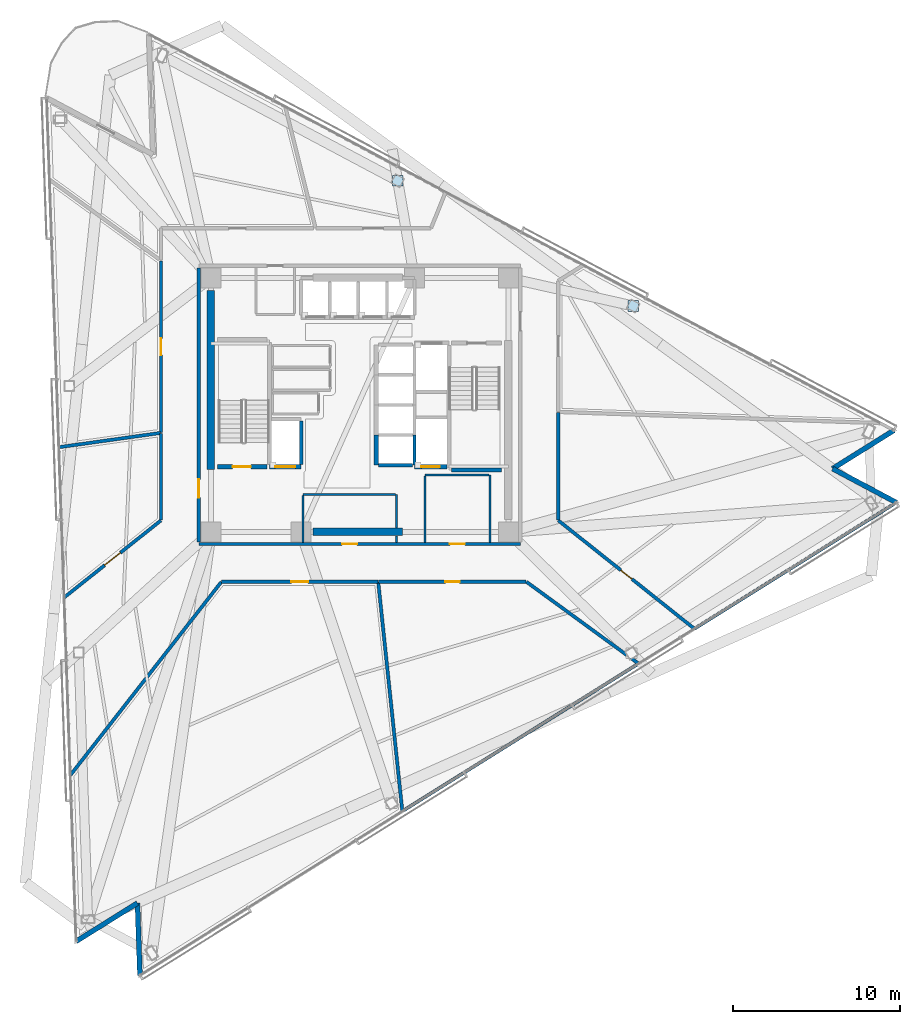
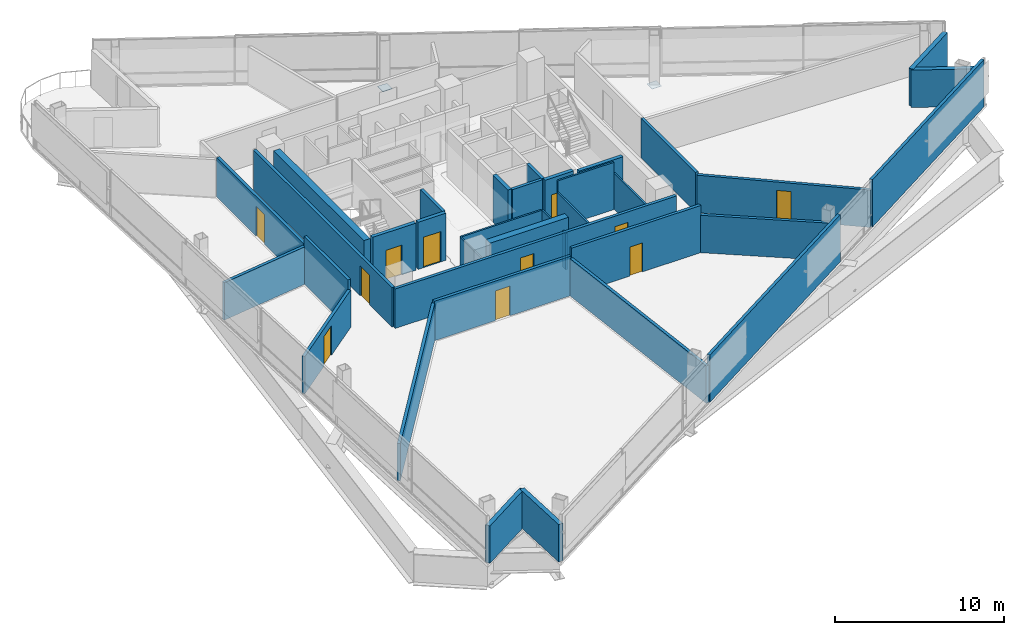
# One storey, part 12 of 20: 36 walls, 11 doors, 2 plates, 11 openings.
"""IFC4 building model written with IfcOpenShell, lengths in metres."""

from ifc_helpers import new_model, si_unit, direction, frame, frame_2d, origin, origin_2d, place, context, subcontext, project, spatial, rectangle, extrude, material, layer, layer_set, type_object, element, fill, save


model = new_model("IFC4")

# Units and contexts
model_context = context("Model", 3, precision=1e-05, world=origin(), true_north=direction((0.0, 1.0)))
body_context = subcontext(model_context, "Body", "Model", "MODEL_VIEW")
ifc_project = project(units=[si_unit("LENGTHUNIT", "METRE"), si_unit("AREAUNIT", "SQUARE_METRE"), si_unit("VOLUMEUNIT", "CUBIC_METRE"), si_unit("PLANEANGLEUNIT", "RADIAN"), si_unit("MASSUNIT", "GRAM", prefix="KILO")], contexts=[model_context])

# Site, building, storey
site_placement = place(None, origin())
site = spatial("IfcSite", under=ifc_project, at=site_placement, CompositionType="ELEMENT")
building_placement = place(site_placement, origin())
building = spatial("IfcBuilding", under=site, at=building_placement, Name="Tharavind Bronze Gate", CompositionType="ELEMENT")
storey_placement = place(building_placement, frame((0.0, 0.0, 138.800048828125)))
storey = spatial("IfcBuildingStorey", under=building, at=storey_placement, Name="L35", CompositionType="ELEMENT", Elevation=138.800048828125)

# Plates
ifc_material_1 = material(Name="Steel S460", Category="steel")
ifc_layer_1 = layer(ifc_material_1, 0.02490234375)
ifc_layer_set_1 = layer_set([ifc_layer_1], Name="Steel S460")
plate_type = type_object("IfcPlateType", Name="STEEL END CAP SHEET 25", PredefinedType="SHEET", material=ifc_layer_set_1)
for number, where, z_axis, x_axis, name in (
    (1, (16.3701171875, 5.91943359375, -0.202392578125), (0.0, 0.0, 1.0), (1.0, 0.0, 0.0), "Steel end cap plate CAP-COLB-L35-S3C2"),
    (2, (2.275634765625, 13.41357421875, -0.012451171875), (0.0, 0.0, 1.0), (1.0, 0.0, 0.0), "Steel end cap plate CAP-COLB-L35-S3C3"),
):
    element("IfcPlate", number, at=place(storey_placement, frame(where, z_axis=z_axis, x_axis=x_axis)), inside=storey, type_object=plate_type, Name=name, PredefinedType="SHEET", context=body_context, shape_type="SweptSolid", body=[
        extrude(rectangle(XDim=0.64501953125, YDim=0.64501953125, at=origin_2d()), origin(), (0.0, 0.0, 1.0), 0.02490234375),
    ])

# Walls
ifc_material_2 = material(Name="Concrete C40/50", Category="concrete")
ifc_layer_2 = layer(ifc_material_2, 0.300048828125)
ifc_layer_set_2 = layer_set([ifc_layer_2], Name="Concrete C40/50")
wall_type_1 = type_object("IfcWallType", Name="EXTERIOR SPANDREL WALL 300", PredefinedType="STANDARD", material=ifc_layer_set_2)
wall_1_placement = place(storey_placement, frame((-16.957763671875, -32.092041015625, 0.0), z_axis=(0.0, 0.0, 1.0), x_axis=(0.848068146975, 0.529887174866, 0.0)))
element("IfcWall", 3, at=wall_1_placement, inside=storey, type_object=wall_type_1, Name="L35 notch cheek wall 2A", PredefinedType="STANDARD", context=body_context, shape_type="SweptSolid", body=[
    extrude(rectangle(XDim=4.31982421875, YDim=0.300048828125, at=frame_2d((2.159912109375, 0.0))), origin(), (0.0, 0.0, 1.0), 2.704833984375),
])
wall_2_placement = place(storey_placement, frame((-13.294189453125, -29.802978515625, 0.0), z_axis=(0.0, 0.0, 1.0), x_axis=(0.034869079132, -0.999391888761, 0.0)))
element("IfcWall", 4, at=wall_2_placement, inside=storey, type_object=wall_type_1, Name="L35 notch cheek wall 2B", PredefinedType="STANDARD", context=body_context, shape_type="SweptSolid", body=[
    extrude(rectangle(XDim=4.320068359375, YDim=0.300048828125, at=frame_2d((2.16015625, 0.0))), origin(), (0.0, 0.0, 1.0), 2.704833984375),
])
wall_3_placement = place(storey_placement, frame((32.114501953125, -5.83984375, 0.0), z_axis=(0.0, 0.0, 1.0), x_axis=(-0.882945167019, 0.469476125099, 0.0)))
element("IfcWall", 5, at=wall_3_placement, inside=storey, type_object=wall_type_1, Name="L35 notch cheek wall 3A", PredefinedType="STANDARD", context=body_context, shape_type="SweptSolid", body=[
    extrude(rectangle(XDim=4.31982421875, YDim=0.300048828125, at=frame_2d((2.159912109375, 0.0))), origin(), (0.0, 0.0, 1.0), 2.704833984375),
])
wall_4_placement = place(storey_placement, frame((28.30029296875, -3.811767578125, 0.0), z_axis=(0.0, 0.0, 1.0), x_axis=(0.848042749904, 0.529927819929, 0.0)))
element("IfcWall", 6, at=wall_4_placement, inside=storey, type_object=wall_type_1, Name="L35 notch cheek wall 3B", PredefinedType="STANDARD", context=body_context, shape_type="SweptSolid", body=[
    extrude(rectangle(XDim=4.320068359375, YDim=0.300048828125, at=frame_2d((2.16015625, 0.0))), origin(), (0.0, 0.0, 1.0), 2.704833984375),
])

# Wall, openings, doors
ifc_material_3 = material(Name="Aerated Concrete Block", Category="concrete")
ifc_layer_3 = layer(ifc_material_3, 0.199951171875)
ifc_layer_set_3 = layer_set([ifc_layer_3], Name="Aerated Concrete Block")
wall_type_2 = type_object("IfcWallType", Name="FIRE RATED PARTITION 200", PredefinedType="PARTITIONING", material=ifc_layer_set_3)
wall_5_placement = place(storey_placement, frame((-9.6201171875, -8.320068359375, 0.0), z_axis=(0.0, 0.0, 1.0), x_axis=(1.0, 0.0, 0.0)))
wall_5 = element("IfcWall", 7, at=wall_5_placement, inside=storey, type_object=wall_type_2, Name="L35 south core corridor wall", PredefinedType="PARTITIONING", context=body_context, shape_type="SweptSolid", body=[
    extrude(rectangle(XDim=19.240234375, YDim=0.199951171875, at=frame_2d((9.6201171875, 0.0))), origin(), (0.0, 0.0, 1.0), 2.85498046875),
])
opening_1_placement = place(wall_5_placement, frame((8.570068359375, 0.0, 0.0)))
opening_1 = element("IfcOpeningElement", 8, at=opening_1_placement, cuts=wall_5, Name="Opening ID07", PredefinedType="OPENING", context=body_context, shape_type="SweptSolid", body=[
    extrude(rectangle(XDim=0.89990234375, YDim=2.10009765625, at=frame_2d((0.449951171875, 1.050048828125))), frame((0.0, 0.11009765625, 0.0), z_axis=(0.0, -1.0, 0.0), x_axis=(1.0, 0.0, 0.0)), (0.0, 0.0, 1.0), 0.219951171875),
])
opening_2_placement = place(wall_5_placement, frame((15.02001953125, 0.0, 0.0)))
opening_2 = element("IfcOpeningElement", 9, at=opening_2_placement, cuts=wall_5, Name="Opening ID07", PredefinedType="OPENING", context=body_context, shape_type="SweptSolid", body=[
    extrude(rectangle(XDim=0.89990234375, YDim=2.10009765625, at=frame_2d((0.449951171875, 1.050048828125))), frame((0.0, 0.11009765625, 0.0), z_axis=(0.0, -1.0, 0.0), x_axis=(1.0, 0.0, 0.0)), (0.0, 0.0, 1.0), 0.219951171875),
])
ifc_material_4 = material(Name="Galvanised Fire Steel", Category="steel")
door_type_1 = type_object("IfcDoorType", Name="PLANT AND RISER FIRE DOOR 900X2100", OperationType="SINGLE_SWING_LEFT", PredefinedType="DOOR", material=ifc_material_4)
door_1_placement = place(opening_1_placement, origin())
door_1 = element("IfcDoor", 10, at=door_1_placement, inside=storey, type_object=door_type_1, Name="L35 Core BMS Control Room fire door", OperationType="SINGLE_SWING_LEFT", OverallHeight=2.10009765625, OverallWidth=0.89990234375, PredefinedType="DOOR", context=body_context, shape_type="SweptSolid", body=[
    extrude(rectangle(XDim=0.89990234375, YDim=2.10009765625, at=frame_2d((0.449951171875, 1.050048828125))), frame((0.0, 0.02490234375, 0.0), z_axis=(0.0, -1.0, 0.0), x_axis=(1.0, 0.0, 0.0)), (0.0, 0.0, 1.0), 0.050048828125),
])
fill(opening_1, door_1)
door_2_placement = place(opening_2_placement, origin())
door_2 = element("IfcDoor", 11, at=door_2_placement, inside=storey, type_object=door_type_1, Name="L35 Telecom Metering Room fire door", OperationType="SINGLE_SWING_LEFT", OverallHeight=2.10009765625, OverallWidth=0.89990234375, PredefinedType="DOOR", context=body_context, shape_type="SweptSolid", body=[
    extrude(rectangle(XDim=0.89990234375, YDim=2.10009765625, at=frame_2d((0.449951171875, 1.050048828125))), frame((0.0, 0.02490234375, 0.0), z_axis=(0.0, -1.0, 0.0), x_axis=(1.0, 0.0, 0.0)), (0.0, 0.0, 1.0), 0.050048828125),
])
fill(opening_2, door_2)

# Wall, opening, door
wall_6_placement = place(storey_placement, frame((-9.6201171875, 8.199951171875, 0.0), z_axis=(0.0, 0.0, 1.0), x_axis=(0.0, -1.0, 0.0)))
wall_6 = element("IfcWall", 12, at=wall_6_placement, inside=storey, type_object=wall_type_2, Name="L35 west core corridor wall", PredefinedType="PARTITIONING", context=body_context, shape_type="SweptSolid", body=[
    extrude(rectangle(XDim=16.39990234375, YDim=0.199951171875, at=frame_2d((8.199951171875, 0.0))), origin(), (0.0, 0.0, 1.0), 2.85498046875),
])
opening_3_placement = place(wall_6_placement, frame((12.64990234375, 0.0, 0.0)))
opening_3 = element("IfcOpeningElement", 13, at=opening_3_placement, cuts=wall_6, Name="Opening ID01", PredefinedType="OPENING", context=body_context, shape_type="SweptSolid", body=[
    extrude(rectangle(XDim=1.10009765625, YDim=2.14990234375, at=frame_2d((0.550048828125, 1.074951171875))), frame((0.0, 0.11009765625, 0.0), z_axis=(0.0, -1.0, 0.0), x_axis=(1.0, 0.0, 0.0)), (0.0, 0.0, 1.0), 0.219951171875),
])
ifc_material_5 = material(Name="Fire-Rated Steel", Category="steel")
door_type_2 = type_object("IfcDoorType", Name="STAIR CORE FIRE DOOR 1100X2150", OperationType="SINGLE_SWING_LEFT", PredefinedType="DOOR", material=ifc_material_5)
door_3_placement = place(opening_3_placement, frame((1.10009765625, 0.0, 0.0), z_axis=(0.0, 0.0, 1.0), x_axis=(-1.0, 0.0, 0.0)))
door_3 = element("IfcDoor", 14, at=door_3_placement, inside=storey, type_object=door_type_2, Name="L35 south west stair lobby fire door", OperationType="SINGLE_SWING_LEFT", OverallHeight=2.14990234375, OverallWidth=1.10009765625, PredefinedType="DOOR", context=body_context, shape_type="SweptSolid", body=[
    extrude(rectangle(XDim=1.10009765625, YDim=2.14990234375, at=frame_2d((0.550048828125, 1.074951171875))), frame((0.0, 0.02490234375, 0.0), z_axis=(0.0, -1.0, 0.0), x_axis=(1.0, 0.0, 0.0)), (0.0, 0.0, 1.0), 0.050048828125),
])
fill(opening_3, door_3)

# Wall
wall_7_placement = place(storey_placement, frame((2.55517578125, -24.310791015625, 0.0), z_axis=(0.0, 0.0, 1.0), x_axis=(-0.104523371889, 0.994522430481, 0.0)))
element("IfcWall", 15, at=wall_7_placement, inside=storey, type_object=wall_type_2, Name="L35 Public Restrooms Block partition", PredefinedType="PARTITIONING", context=body_context, shape_type="SweptSolid", body=[
    extrude(rectangle(XDim=13.778564453125, YDim=0.199951171875, at=frame_2d((6.88916015625, 0.0))), origin(), (0.0, 0.0, 1.0), 2.704833984375),
])

# Wall, opening, door
wall_8_placement = place(storey_placement, frame((1.139892578125, -10.580078125, 0.0), z_axis=(0.0, 0.0, 1.0), x_axis=(1.0, 0.0, 0.0)))
wall_8 = element("IfcWall", 16, at=wall_8_placement, inside=storey, type_object=wall_type_2, Name="L35 Public Restrooms Block partition", PredefinedType="PARTITIONING", context=body_context, shape_type="SweptSolid", body=[
    extrude(rectangle(XDim=8.830078125, YDim=0.199951171875, at=frame_2d((4.4150390625, 0.0))), origin(), (0.0, 0.0, 1.0), 3.409912109375),
])
opening_4_placement = place(wall_8_placement, frame((3.989990234375, 0.0, 0.0)))
opening_4 = element("IfcOpeningElement", 17, at=opening_4_placement, cuts=wall_8, Name="Opening ID06", PredefinedType="OPENING", context=body_context, shape_type="SweptSolid", body=[
    extrude(rectangle(XDim=0.85009765625, YDim=2.10009765625, at=frame_2d((0.425048828125, 1.050048828125))), frame((0.0, 0.11009765625, 0.0), z_axis=(0.0, -1.0, 0.0), x_axis=(1.0, 0.0, 0.0)), (0.0, 0.0, 1.0), 0.219951171875),
])
ifc_material_6 = material(Name="Moisture-Resistant Timber", Category="wood")
door_type_3 = type_object("IfcDoorType", Name="BATHROOM PRIVACY DOOR 850X2100", OperationType="SINGLE_SWING_RIGHT", PredefinedType="DOOR", material=ifc_material_6)
door_4_placement = place(opening_4_placement, origin())
door_4 = element("IfcDoor", 18, at=door_4_placement, inside=storey, type_object=door_type_3, Name="L35 Public Restrooms Block door", OperationType="SINGLE_SWING_RIGHT", OverallHeight=2.10009765625, OverallWidth=0.85009765625, PredefinedType="DOOR", context=body_context, shape_type="SweptSolid", body=[
    extrude(rectangle(XDim=0.85009765625, YDim=2.10009765625, at=frame_2d((0.425048828125, 1.050048828125))), frame((0.0, 0.02490234375, 0.0), z_axis=(0.0, -1.0, 0.0), x_axis=(1.0, 0.0, 0.0)), (0.0, 0.0, 1.0), 0.050048828125),
])
fill(opening_4, door_4)

# Walls
wall_9_placement = place(storey_placement, frame((9.98486328125, -10.584716796875, 0.0), z_axis=(0.0, 0.0, 1.0), x_axis=(0.807835985814, -0.589407346429, 0.0)))
element("IfcWall", 19, at=wall_9_placement, inside=storey, type_object=wall_type_2, Name="L35 Public Restrooms Block partition", PredefinedType="PARTITIONING", context=body_context, shape_type="SweptSolid", body=[
    extrude(rectangle(XDim=8.30126953125, YDim=0.199951171875, at=frame_2d((4.150634765625, 0.0))), origin(), (0.0, 0.0, 1.0), 2.704833984375),
])
wall_10_placement = place(storey_placement, frame((16.59521484375, -15.53759765625, 0.0), z_axis=(0.0, 0.0, 1.0), x_axis=(-0.84805002989, -0.5299161696, 0.0)))
element("IfcWall", 20, at=wall_10_placement, inside=storey, type_object=wall_type_2, Name="L35 Public Restrooms Block partition", PredefinedType="PARTITIONING", context=body_context, shape_type="SweptSolid", body=[
    extrude(rectangle(XDim=16.438720703125, YDim=0.199951171875, at=frame_2d((8.21923828125, 0.0))), origin(), (0.0, 0.0, 1.0), 3.409912109375),
])

# Wall, opening, door
wall_11_placement = place(storey_placement, frame((20.030029296875, -13.39111328125, 0.0), z_axis=(0.0, 0.0, 1.0), x_axis=(-0.782379652936, 0.622801797261, 0.0)))
wall_11 = element("IfcWall", 21, at=wall_11_placement, inside=storey, type_object=wall_type_2, Name="L35 Public Restrooms Block partition", PredefinedType="PARTITIONING", context=body_context, shape_type="SweptSolid", body=[
    extrude(rectangle(XDim=10.405029296875, YDim=0.199951171875, at=frame_2d((5.20263671875, 0.0))), origin(), (0.0, 0.0, 1.0), 2.704833984375),
])
opening_5_placement = place(wall_11_placement, frame((4.777099609375, 0.0, 0.0)))
opening_5 = element("IfcOpeningElement", 22, at=opening_5_placement, cuts=wall_11, Name="Opening ID06", PredefinedType="OPENING", context=body_context, shape_type="SweptSolid", body=[
    extrude(rectangle(XDim=0.85009765625, YDim=2.10009765625, at=frame_2d((0.425048828125, 1.050048828125))), frame((0.0, 0.11009765625, 0.0), z_axis=(0.0, -1.0, 0.0), x_axis=(1.0, 0.0, 0.0)), (0.0, 0.0, 1.0), 0.219951171875),
])
door_5_placement = place(opening_5_placement, origin())
door_5 = element("IfcDoor", 23, at=door_5_placement, inside=storey, type_object=door_type_3, Name="L35 Public Restrooms Block door", OperationType="SINGLE_SWING_RIGHT", OverallHeight=2.10009765625, OverallWidth=0.85009765625, PredefinedType="DOOR", context=body_context, shape_type="SweptSolid", body=[
    extrude(rectangle(XDim=0.85009765625, YDim=2.10009765625, at=frame_2d((0.425048828125, 1.050048828125))), frame((0.0, 0.02490234375, 0.0), z_axis=(0.0, -1.0, 0.0), x_axis=(1.0, 0.0, 0.0)), (0.0, 0.0, 1.0), 0.050048828125),
])
fill(opening_5, door_5)

# Walls
wall_12_placement = place(storey_placement, frame((11.8798828125, -6.891357421875, 0.0), z_axis=(0.0, 0.0, 1.0), x_axis=(0.0, 1.0, 0.0)))
element("IfcWall", 24, at=wall_12_placement, inside=storey, type_object=wall_type_2, Name="L35 Public Restrooms Block partition", PredefinedType="PARTITIONING", context=body_context, shape_type="SweptSolid", body=[
    extrude(rectangle(XDim=6.45068359375, YDim=0.199951171875, at=frame_2d((3.225341796875, 0.0))), origin(), (0.0, 0.0, 1.0), 2.85498046875),
])
wall_13_placement = place(storey_placement, frame((31.962890625, -5.934814453125, 0.0), z_axis=(0.0, 0.0, 1.0), x_axis=(-0.848057783803, -0.529903760442, 0.0)))
element("IfcWall", 25, at=wall_13_placement, inside=storey, type_object=wall_type_2, Name="L35 Public Restrooms Block partition", PredefinedType="PARTITIONING", context=body_context, shape_type="SweptSolid", body=[
    extrude(rectangle(XDim=14.06494140625, YDim=0.199951171875, at=frame_2d((7.032470703125, 0.0))), origin(), (0.0, 0.0, 1.0), 3.409912109375),
])

# Wall, opening, door
wall_14_placement = place(storey_placement, frame((-11.8798828125, 8.61865234375, 0.0), z_axis=(0.0, 0.0, 1.0), x_axis=(0.0, -1.0, 0.0)))
wall_14 = element("IfcWall", 26, at=wall_14_placement, inside=storey, type_object=wall_type_2, Name="L35 Executive Office West partition", PredefinedType="PARTITIONING", context=body_context, shape_type="SweptSolid", body=[
    extrude(rectangle(XDim=10.2666015625, YDim=0.199951171875, at=frame_2d((5.13330078125, 0.0))), origin(), (0.0, 0.0, 1.0), 2.85498046875),
])
opening_6_placement = place(wall_14_placement, frame((4.633056640625, 0.0, 0.0)))
opening_6 = element("IfcOpeningElement", 27, at=opening_6_placement, cuts=wall_14, Name="Opening ID04", PredefinedType="OPENING", context=body_context, shape_type="SweptSolid", body=[
    extrude(rectangle(XDim=1.0, YDim=2.14990234375, at=frame_2d((0.5, 1.074951171875))), frame((0.0, 0.11009765625, 0.0), z_axis=(0.0, -1.0, 0.0), x_axis=(1.0, 0.0, 0.0)), (0.0, 0.0, 1.0), 0.219951171875),
])
ifc_material_7 = material(Name="Bronze Framed Acoustic Timber", Category="wood")
door_type_4 = type_object("IfcDoorType", Name="OFFICE TENANCY DOOR 1000X2150", OperationType="SINGLE_SWING_RIGHT", PredefinedType="DOOR", material=ifc_material_7)
door_6_placement = place(opening_6_placement, origin())
door_6 = element("IfcDoor", 28, at=door_6_placement, inside=storey, type_object=door_type_4, Name="L35 Executive Office West door", OperationType="SINGLE_SWING_RIGHT", OverallHeight=2.14990234375, OverallWidth=1.0, PredefinedType="DOOR", context=body_context, shape_type="SweptSolid", body=[
    extrude(rectangle(XDim=1.0, YDim=2.14990234375, at=frame_2d((0.5, 1.074951171875))), frame((0.0, 0.02490234375, 0.0), z_axis=(0.0, -1.0, 0.0), x_axis=(1.0, 0.0, 0.0)), (0.0, 0.0, 1.0), 0.050048828125),
])
fill(opening_6, door_6)

# Walls
wall_15_placement = place(storey_placement, frame((-11.901611328125, -1.672607421875, 0.0), z_axis=(0.0, 0.0, 1.0), x_axis=(-0.990268435755, -0.139170489501, 0.0)))
element("IfcWall", 29, at=wall_15_placement, inside=storey, type_object=wall_type_2, Name="L35 Executive Office West partition", PredefinedType="PARTITIONING", context=body_context, shape_type="SweptSolid", body=[
    extrude(rectangle(XDim=6.12060546875, YDim=0.199951171875, at=frame_2d((3.060302734375, 0.0))), origin(), (0.0, 0.0, 1.0), 2.704833984375),
])
wall_16_placement = place(storey_placement, frame((-11.8798828125, -1.698486328125, 0.0), z_axis=(0.0, 0.0, 1.0), x_axis=(0.0, -1.0, 0.0)))
element("IfcWall", 30, at=wall_16_placement, inside=storey, type_object=wall_type_2, Name="L35 Regional Boardroom partition", PredefinedType="PARTITIONING", context=body_context, shape_type="SweptSolid", body=[
    extrude(rectangle(XDim=5.19287109375, YDim=0.199951171875, at=frame_2d((2.596435546875, 0.0))), origin(), (0.0, 0.0, 1.0), 3.409912109375),
])

# Wall, opening, door
wall_17_placement = place(storey_placement, frame((-11.889404296875, -6.910888671875, 0.0), z_axis=(0.0, 0.0, 1.0), x_axis=(-0.782386471956, -0.622793230936, 0.0)))
wall_17 = element("IfcWall", 31, at=wall_17_placement, inside=storey, type_object=wall_type_2, Name="L35 Regional Boardroom partition", PredefinedType="PARTITIONING", context=body_context, shape_type="SweptSolid", body=[
    extrude(rectangle(XDim=7.396484375, YDim=0.199951171875, at=frame_2d((3.6982421875, 0.0))), origin(), (0.0, 0.0, 1.0), 2.704833984375),
])
opening_7_placement = place(wall_17_placement, frame((3.097900390625, 0.0, 0.0)))
opening_7 = element("IfcOpeningElement", 32, at=opening_7_placement, cuts=wall_17, Name="Opening ID05", PredefinedType="OPENING", context=body_context, shape_type="SweptSolid", body=[
    extrude(rectangle(XDim=1.199951171875, YDim=2.14990234375, at=frame_2d((0.60009765625, 1.074951171875))), frame((0.0, 0.11009765625, 0.0), z_axis=(0.0, -1.0, 0.0), x_axis=(1.0, 0.0, 0.0)), (0.0, 0.0, 1.0), 0.219951171875),
])
ifc_material_8 = material(Name="Acoustic Laminated Glass", Category="glass")
door_type_5 = type_object("IfcDoorType", Name="MEETING ROOM GLAZED DOOR 1200X2150", OperationType="SINGLE_SWING_LEFT", PredefinedType="DOOR", material=ifc_material_8)
door_7_placement = place(opening_7_placement, origin())
door_7 = element("IfcDoor", 33, at=door_7_placement, inside=storey, type_object=door_type_5, Name="L35 Regional Boardroom door", OperationType="SINGLE_SWING_LEFT", OverallHeight=2.14990234375, OverallWidth=1.199951171875, PredefinedType="DOOR", context=body_context, shape_type="SweptSolid", body=[
    extrude(rectangle(XDim=1.199951171875, YDim=2.14990234375, at=frame_2d((0.60009765625, 1.074951171875))), frame((0.0, 0.02490234375, 0.0), z_axis=(0.0, -1.0, 0.0), x_axis=(1.0, 0.0, 0.0)), (0.0, 0.0, 1.0), 0.050048828125),
])
fill(opening_7, door_7)

# Wall
wall_18_placement = place(storey_placement, frame((-17.29931640625, -22.14208984375, 0.0), z_axis=(0.0, 0.0, 1.0), x_axis=(0.615665047481, 0.78800796272, 0.0)))
element("IfcWall", 34, at=wall_18_placement, inside=storey, type_object=wall_type_2, Name="L35 Open Office partition", PredefinedType="PARTITIONING", context=body_context, shape_type="SweptSolid", body=[
    extrude(rectangle(XDim=14.660400390625, YDim=0.199951171875, at=frame_2d((7.330078125, 0.0))), origin(), (0.0, 0.0, 1.0), 2.704833984375),
])

# Wall, opening, door
wall_19_placement = place(storey_placement, frame((-8.25390625, -10.580078125, 0.0), z_axis=(0.0, 0.0, 1.0), x_axis=(1.0, 0.0, 0.0)))
wall_19 = element("IfcWall", 35, at=wall_19_placement, inside=storey, type_object=wall_type_2, Name="L35 Open Office partition", PredefinedType="PARTITIONING", context=body_context, shape_type="SweptSolid", body=[
    extrude(rectangle(XDim=9.343505859375, YDim=0.199951171875, at=frame_2d((4.671875, 0.0))), origin(), (0.0, 0.0, 1.0), 2.85498046875),
])
opening_8_placement = place(wall_19_placement, frame((4.172119140625, 0.0, 0.0)))
opening_8 = element("IfcOpeningElement", 36, at=opening_8_placement, cuts=wall_19, Name="Opening ID04", PredefinedType="OPENING", context=body_context, shape_type="SweptSolid", body=[
    extrude(rectangle(XDim=1.0, YDim=2.14990234375, at=frame_2d((0.5, 1.074951171875))), frame((0.0, 0.11009765625, 0.0), z_axis=(0.0, -1.0, 0.0), x_axis=(1.0, 0.0, 0.0)), (0.0, 0.0, 1.0), 0.219951171875),
])
door_8_placement = place(opening_8_placement, origin())
door_8 = element("IfcDoor", 37, at=door_8_placement, inside=storey, type_object=door_type_4, Name="L35 Open Office door", OperationType="SINGLE_SWING_RIGHT", OverallHeight=2.14990234375, OverallWidth=1.0, PredefinedType="DOOR", context=body_context, shape_type="SweptSolid", body=[
    extrude(rectangle(XDim=1.0, YDim=2.14990234375, at=frame_2d((0.5, 1.074951171875))), frame((0.0, 0.02490234375, 0.0), z_axis=(0.0, -1.0, 0.0), x_axis=(1.0, 0.0, 0.0)), (0.0, 0.0, 1.0), 0.050048828125),
])
fill(opening_8, door_8)

# Walls
ifc_material_9 = material(Name="Metal Stud Gypsum Partition", Category="gypsum")
ifc_layer_4 = layer(ifc_material_9, 0.1201171875)
ifc_layer_set_4 = layer_set([ifc_layer_4], Name="Metal Stud Gypsum Partition")
wall_type_3 = type_object("IfcWallType", Name="INTERIOR PARTITION WALL 120", PredefinedType="PARTITIONING", material=ifc_layer_set_4)
wall_20_placement = place(storey_placement, frame((2.199951171875, -8.215087890625, 0.0), z_axis=(0.0, 0.0, 1.0), x_axis=(0.0, 1.0, 0.0)))
element("IfcWall", 38, at=wall_20_placement, inside=storey, type_object=wall_type_3, Name="L35 Core BMS Control Room partition 2", PredefinedType="PARTITIONING", context=body_context, shape_type="SweptSolid", body=[
    extrude(rectangle(XDim=0.385009765625, YDim=0.1201171875, at=frame_2d((0.1923828125, 0.0))), origin(), (0.0, 0.0, 1.0), 2.60498046875),
])
wall_21_placement = place(storey_placement, frame((2.199951171875, -7.3701171875, 0.0), z_axis=(0.0, 0.0, 1.0), x_axis=(0.0, 1.0, 0.0)))
element("IfcWall", 39, at=wall_21_placement, inside=storey, type_object=wall_type_3, Name="L35 Core BMS Control Room partition 2", PredefinedType="PARTITIONING", context=body_context, shape_type="SweptSolid", body=[
    extrude(rectangle(XDim=2.02001953125, YDim=0.1201171875, at=frame_2d((1.010009765625, 0.0))), origin(), (0.0, 0.0, 1.0), 2.60498046875),
])
wall_22_placement = place(storey_placement, frame((2.135009765625, -5.35009765625, 0.0), z_axis=(0.0, 0.0, 1.0), x_axis=(-1.0, 0.0, 0.0)))
element("IfcWall", 40, at=wall_22_placement, inside=storey, type_object=wall_type_3, Name="L35 Core BMS Control Room partition 3", PredefinedType="PARTITIONING", context=body_context, shape_type="SweptSolid", body=[
    extrude(rectangle(XDim=5.534912109375, YDim=0.1201171875, at=frame_2d((2.767578125, 0.0))), origin(), (0.0, 0.0, 1.0), 2.60498046875),
])
wall_23_placement = place(storey_placement, frame((-3.39990234375, -5.4150390625, 0.0), z_axis=(0.0, 0.0, 1.0), x_axis=(0.0, -1.0, 0.0)))
element("IfcWall", 41, at=wall_23_placement, inside=storey, type_object=wall_type_3, Name="L35 Core BMS Control Room partition 4", PredefinedType="PARTITIONING", context=body_context, shape_type="SweptSolid", body=[
    extrude(rectangle(XDim=2.800048828125, YDim=0.1201171875, at=frame_2d((1.39990234375, 0.0))), origin(), (0.0, 0.0, 1.0), 2.60498046875),
])
wall_24_placement = place(storey_placement, frame((7.800048828125, -8.215087890625, 0.0), z_axis=(0.0, 0.0, 1.0), x_axis=(0.0, 1.0, 0.0)))
element("IfcWall", 42, at=wall_24_placement, inside=storey, type_object=wall_type_3, Name="L35 Telecom Metering Room partition 2", PredefinedType="PARTITIONING", context=body_context, shape_type="SweptSolid", body=[
    extrude(rectangle(XDim=4.01513671875, YDim=0.1201171875, at=frame_2d((2.007568359375, 0.0))), origin(), (0.0, 0.0, 1.0), 2.60498046875),
])
wall_25_placement = place(storey_placement, frame((7.735107421875, -4.199951171875, 0.0), z_axis=(0.0, 0.0, 1.0), x_axis=(-1.0, 0.0, 0.0)))
element("IfcWall", 43, at=wall_25_placement, inside=storey, type_object=wall_type_3, Name="L35 Telecom Metering Room partition 3", PredefinedType="PARTITIONING", context=body_context, shape_type="SweptSolid", body=[
    extrude(rectangle(XDim=3.835205078125, YDim=0.1201171875, at=frame_2d((1.91748046875, 0.0))), origin(), (0.0, 0.0, 1.0), 3.409912109375),
])
wall_26_placement = place(storey_placement, frame((3.89990234375, -4.264892578125, 0.0), z_axis=(0.0, 0.0, 1.0), x_axis=(0.0, -1.0, 0.0)))
element("IfcWall", 44, at=wall_26_placement, inside=storey, type_object=wall_type_3, Name="L35 Telecom Metering Room partition 4", PredefinedType="PARTITIONING", context=body_context, shape_type="SweptSolid", body=[
    extrude(rectangle(XDim=3.9501953125, YDim=0.1201171875, at=frame_2d((1.97509765625, 0.0))), origin(), (0.0, 0.0, 1.0), 2.60498046875),
])

# Wall, opening, door
ifc_material_10 = material(Name="Concrete C50/60", Category="concrete")
ifc_layer_5 = layer(ifc_material_10, 0.25)
ifc_layer_set_5 = layer_set([ifc_layer_5], Name="Concrete C50/60")
wall_type_4 = type_object("IfcWallType", Name="RC CORE SHEAR WALL 250", PredefinedType="SHEAR", material=ifc_layer_set_5)
wall_27_placement = place(storey_placement, frame((-8.5, -3.699951171875, 0.0), z_axis=(0.0, 0.0, 1.0), x_axis=(1.0, 0.0, 0.0)))
wall_27 = element("IfcWall", 45, at=wall_27_placement, inside=storey, type_object=wall_type_4, Name="L35 ST1 shaft south wall", PredefinedType="SHEAR", context=body_context, shape_type="SweptSolid", body=[
    extrude(rectangle(XDim=2.949951171875, YDim=0.25, at=frame_2d((1.47509765625, 0.0))), origin(), (0.0, 0.0, 1.0), 3.409912109375),
])
opening_9_placement = place(wall_27_placement, frame((0.89990234375, 0.0, 0.0)))
opening_9 = element("IfcOpeningElement", 46, at=opening_9_placement, cuts=wall_27, Name="Opening ID01", PredefinedType="OPENING", context=body_context, shape_type="SweptSolid", body=[
    extrude(rectangle(XDim=1.10009765625, YDim=2.14990234375, at=frame_2d((0.550048828125, 1.074951171875))), frame((0.0, 0.135, 0.0), z_axis=(0.0, -1.0, 0.0), x_axis=(1.0, 0.0, 0.0)), (0.0, 0.0, 1.0), 0.27),
])
door_9_placement = place(opening_9_placement, origin())
door_9 = element("IfcDoor", 47, at=door_9_placement, inside=storey, type_object=door_type_2, Name="L35 exit stair ST1 fire door", OperationType="SINGLE_SWING_LEFT", OverallHeight=2.14990234375, OverallWidth=1.10009765625, PredefinedType="DOOR", context=body_context, shape_type="SweptSolid", body=[
    extrude(rectangle(XDim=1.10009765625, YDim=2.14990234375, at=frame_2d((0.550048828125, 1.074951171875))), frame((0.0, 0.02490234375, 0.0), z_axis=(0.0, -1.0, 0.0), x_axis=(1.0, 0.0, 0.0)), (0.0, 0.0, 1.0), 0.050048828125),
])
fill(opening_9, door_9)

# Walls
wall_28_placement = place(storey_placement, frame((5.5, -3.89990234375, 0.0), z_axis=(0.0, 0.0, 1.0), x_axis=(1.0, 0.0, 0.0)))
element("IfcWall", 48, at=wall_28_placement, inside=storey, type_object=wall_type_4, Name="L35 ST2 shaft south wall", PredefinedType="SHEAR", context=body_context, shape_type="SweptSolid", body=[
    extrude(rectangle(XDim=3.0, YDim=0.25, at=frame_2d((1.5, 0.0))), origin(), (0.0, 0.0, 1.0), 3.409912109375),
])
wall_29_placement = place(storey_placement, frame((1.0, -3.60009765625, 0.0), z_axis=(0.0, 0.0, 1.0), x_axis=(0.0, 1.0, 0.0)))
element("IfcWall", 49, at=wall_29_placement, inside=storey, type_object=wall_type_4, Name="L35 lift PL9 shaft front wall", PredefinedType="SHEAR", context=body_context, shape_type="SweptSolid", body=[
    extrude(rectangle(XDim=1.800048828125, YDim=0.25, at=frame_2d((0.89990234375, 0.0))), origin(), (0.0, 0.0, 1.0), 3.409912109375),
])

# Wall, opening, door
wall_30_placement = place(storey_placement, frame((-5.39990234375, -3.699951171875, 0.0), z_axis=(0.0, 0.0, 1.0), x_axis=(1.0, 0.0, 0.0)))
wall_30 = element("IfcWall", 50, at=wall_30_placement, inside=storey, type_object=wall_type_4, Name="L35 lift FFL1 shaft front wall", PredefinedType="SHEAR", context=body_context, shape_type="SweptSolid", body=[
    extrude(rectangle(XDim=1.89990234375, YDim=0.25, at=frame_2d((0.949951171875, 0.0))), origin(), (0.0, 0.0, 1.0), 3.409912109375),
])
opening_10_placement = place(wall_30_placement, frame((0.35009765625, 0.0, 0.0)))
opening_10 = element("IfcOpeningElement", 51, at=opening_10_placement, cuts=wall_30, Name="Opening LD02", PredefinedType="OPENING", context=body_context, shape_type="SweptSolid", body=[
    extrude(rectangle(XDim=1.199951171875, YDim=2.199951171875, at=frame_2d((0.60009765625, 1.10009765625))), frame((0.0, 0.135, 0.0), z_axis=(0.0, -1.0, 0.0), x_axis=(1.0, 0.0, 0.0)), (0.0, 0.0, 1.0), 0.27),
])
ifc_material_11 = material(Name="Brushed Stainless Steel", Category="steel")
door_type_6 = type_object("IfcDoorType", Name="FIREFIGHTING LIFT LANDING DOOR 1200X2200", OperationType="SLIDING_TO_RIGHT", PredefinedType="DOOR", material=ifc_material_11)
door_10_placement = place(opening_10_placement, origin())
door_10 = element("IfcDoor", 52, at=door_10_placement, inside=storey, type_object=door_type_6, Name="L35 lift FFL1 sliding landing door", OperationType="SLIDING_TO_RIGHT", OverallHeight=2.199951171875, OverallWidth=1.199951171875, PredefinedType="DOOR", context=body_context, shape_type="SweptSolid", body=[
    extrude(rectangle(XDim=1.199951171875, YDim=2.199951171875, at=frame_2d((0.60009765625, 1.10009765625))), frame((0.0, 0.02490234375, 0.0), z_axis=(0.0, -1.0, 0.0), x_axis=(1.0, 0.0, 0.0)), (0.0, 0.0, 1.0), 0.050048828125),
])
fill(opening_10, door_10)

wall_31_placement = place(storey_placement, frame((3.280029296875, -3.699951171875, 0.0), z_axis=(0.0, 0.0, 1.0), x_axis=(1.0, 0.0, 0.0)))
wall_31 = element("IfcWall", 53, at=wall_31_placement, inside=storey, type_object=wall_type_4, Name="L35 lift SVL1 shaft front wall", PredefinedType="SHEAR", context=body_context, shape_type="SweptSolid", body=[
    extrude(rectangle(XDim=1.93994140625, YDim=0.25, at=frame_2d((0.969970703125, 0.0))), origin(), (0.0, 0.0, 1.0), 3.409912109375),
])
opening_11_placement = place(wall_31_placement, frame((0.419921875, 0.0, 0.0)))
opening_11 = element("IfcOpeningElement", 54, at=opening_11_placement, cuts=wall_31, Name="Opening LD01", PredefinedType="OPENING", context=body_context, shape_type="SweptSolid", body=[
    extrude(rectangle(XDim=1.10009765625, YDim=2.199951171875, at=frame_2d((0.550048828125, 1.10009765625))), frame((0.0, 0.135, 0.0), z_axis=(0.0, -1.0, 0.0), x_axis=(1.0, 0.0, 0.0)), (0.0, 0.0, 1.0), 0.27),
])
ifc_material_12 = material(Name="Brushed Bronze Stainless Steel", Category="steel")
door_type_7 = type_object("IfcDoorType", Name="LIFT LANDING SLIDING DOOR 1100X2200", OperationType="SLIDING_TO_LEFT", PredefinedType="DOOR", material=ifc_material_12)
door_11_placement = place(opening_11_placement, origin())
door_11 = element("IfcDoor", 55, at=door_11_placement, inside=storey, type_object=door_type_7, Name="L35 lift SVL1 sliding landing door", OperationType="SLIDING_TO_LEFT", OverallHeight=2.199951171875, OverallWidth=1.10009765625, PredefinedType="DOOR", context=body_context, shape_type="SweptSolid", body=[
    extrude(rectangle(XDim=1.10009765625, YDim=2.199951171875, at=frame_2d((0.550048828125, 1.10009765625))), frame((0.0, 0.02490234375, 0.0), z_axis=(0.0, -1.0, 0.0), x_axis=(1.0, 0.0, 0.0)), (0.0, 0.0, 1.0), 0.050048828125),
])
fill(opening_11, door_11)

# Walls
ifc_material_13 = material(Name="Concrete C60/75", Category="concrete")
ifc_layer_6 = layer(ifc_material_13, 0.449951171875)
ifc_layer_set_6 = layer_set([ifc_layer_6], Name="Concrete C60/75")
wall_type_5 = type_object("IfcWallType", Name="RC CORE SHEAR WALL 450", PredefinedType="SHEAR", material=ifc_layer_set_6)
wall_32_placement = place(storey_placement, frame((-2.800048828125, -7.60009765625, 0.0), z_axis=(0.0, 0.0, 1.0), x_axis=(1.0, 0.0, 0.0)))
element("IfcWall", 56, at=wall_32_placement, inside=storey, type_object=wall_type_5, Name="L35 south core shear wall", PredefinedType="SHEAR", context=body_context, shape_type="SweptSolid", body=[
    extrude(rectangle(XDim=5.380126953125, YDim=0.449951171875, at=frame_2d((2.68994140625, 0.0))), origin(), (0.0, 0.0, 1.0), 3.409912109375),
])
wall_33_placement = place(storey_placement, frame((-8.89990234375, -3.85009765625, 0.0), z_axis=(0.0, 0.0, 1.0), x_axis=(0.0, 1.0, 0.0)))
element("IfcWall", 57, at=wall_33_placement, inside=storey, type_object=wall_type_5, Name="L35 west core shear wall", PredefinedType="SHEAR", context=body_context, shape_type="SweptSolid", body=[
    extrude(rectangle(XDim=10.7001953125, YDim=0.449951171875, at=frame_2d((5.35009765625, 0.0))), origin(), (0.0, 0.0, 1.0), 3.409912109375),
])
ifc_layer_7 = layer(ifc_material_2, 0.199951171875)
ifc_layer_set_7 = layer_set([ifc_layer_7], Name="Concrete C40/50")
wall_type_6 = type_object("IfcWallType", Name="SHAFT ENCLOSURE WALL 200", PredefinedType="PARTITIONING", material=ifc_layer_set_7)
wall_34_placement = place(storey_placement, frame((3.280029296875, -3.60009765625, 0.0), z_axis=(0.0, 0.0, 1.0), x_axis=(0.0, 1.0, 0.0)))
element("IfcWall", 58, at=wall_34_placement, inside=storey, type_object=wall_type_6, Name="L35 lift PL9 shaft E enclosure wall", PredefinedType="PARTITIONING", context=body_context, shape_type="SweptSolid", body=[
    extrude(rectangle(XDim=1.800048828125, YDim=0.199951171875, at=frame_2d((0.89990234375, 0.0))), origin(), (0.0, 0.0, 1.0), 3.409912109375),
])
wall_35_placement = place(storey_placement, frame((1.1298828125, -3.60009765625, 0.0), z_axis=(0.0, 0.0, 1.0), x_axis=(1.0, 0.0, 0.0)))
element("IfcWall", 59, at=wall_35_placement, inside=storey, type_object=wall_type_6, Name="L35 lift PL9 shaft S enclosure wall", PredefinedType="PARTITIONING", context=body_context, shape_type="SweptSolid", body=[
    extrude(rectangle(XDim=2.045166015625, YDim=0.199951171875, at=frame_2d((1.0224609375, 0.0))), origin(), (0.0, 0.0, 1.0), 3.409912109375),
])
wall_36_placement = place(storey_placement, frame((-3.5, -3.570068359375, 0.0), z_axis=(0.0, 0.0, 1.0), x_axis=(0.0, 1.0, 0.0)))
element("IfcWall", 60, at=wall_36_placement, inside=storey, type_object=wall_type_6, Name="L35 lift FFL1 shaft E enclosure wall", PredefinedType="PARTITIONING", context=body_context, shape_type="SweptSolid", body=[
    extrude(rectangle(XDim=2.614990234375, YDim=0.199951171875, at=frame_2d((1.3076171875, 0.0))), origin(), (0.0, 0.0, 1.0), 3.409912109375),
])

save(model, "model.ifc")
